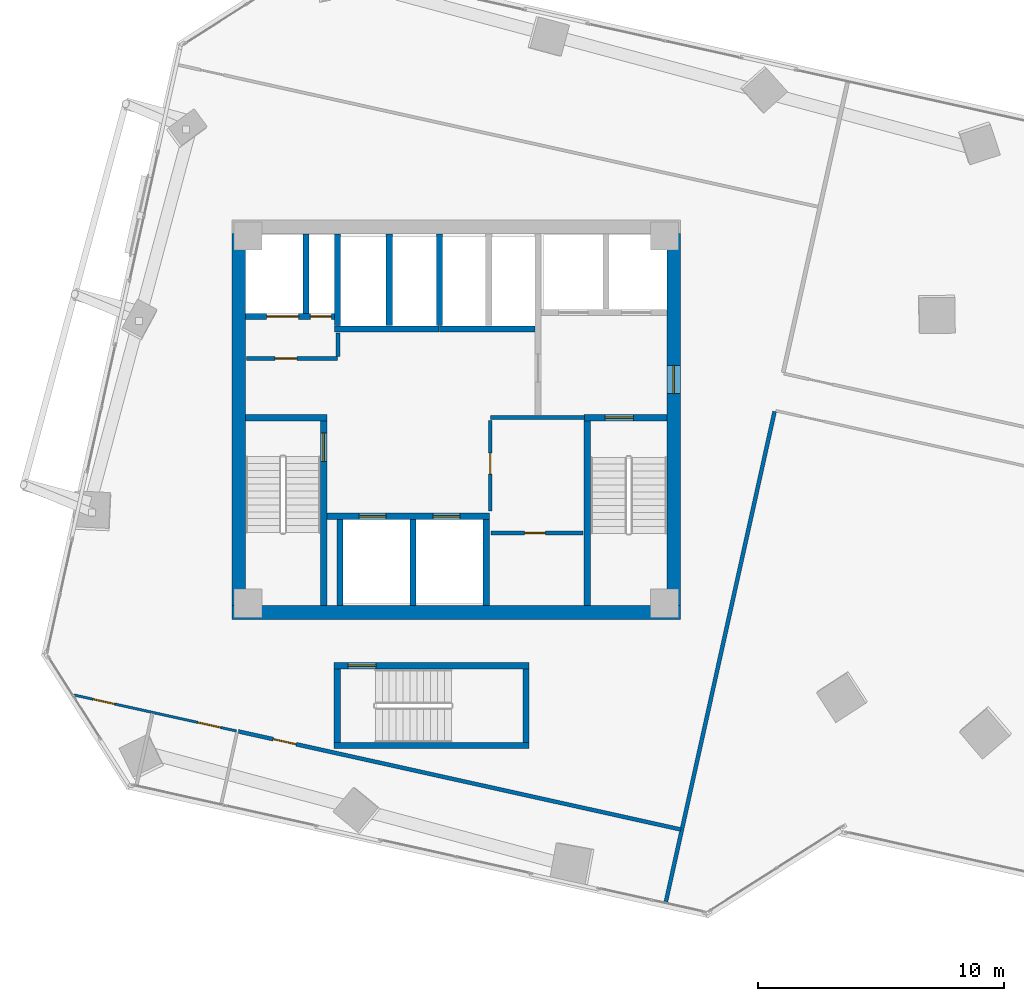
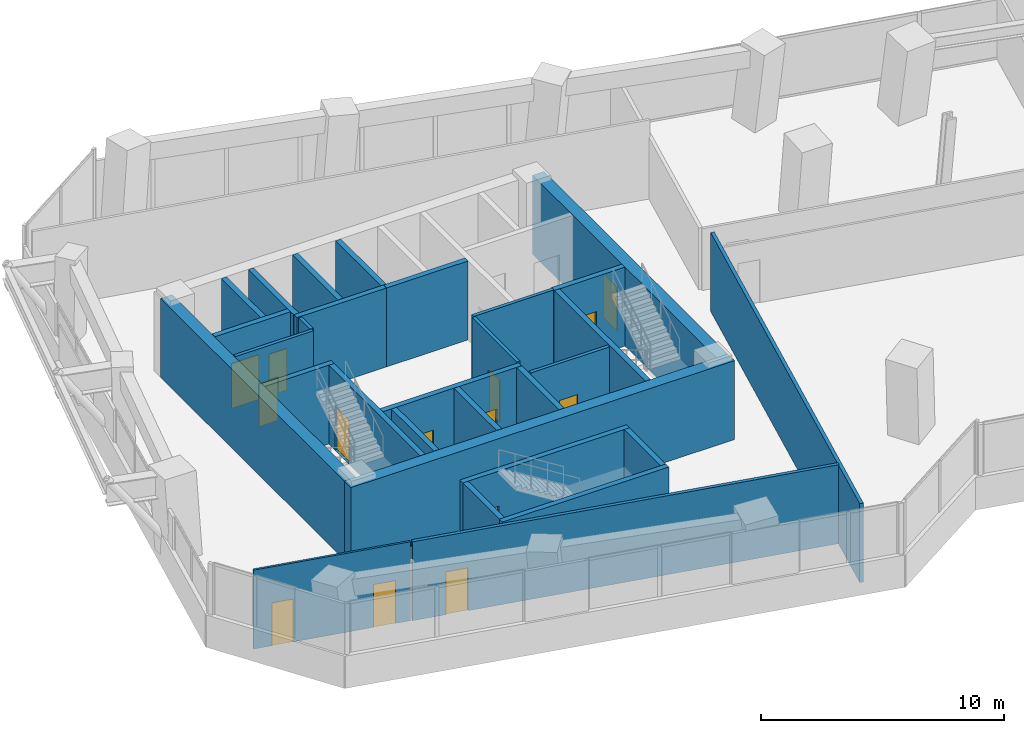
# One storey, part 21 of 26: 30 walls, 14 doors, 14 openings.
"""IFC4 building model written with IfcOpenShell, lengths in metres."""

import ifcopenshell
import ifcopenshell.guid

model = None  # the IFC model being written
_history = None  # IfcOwnerHistory: only IFC2X3 demands one
_inside = {}  # id of a spatial element -> (the spatial element, [elements in it])
_under = {}  # id of a project, library or spatial element -> (it, [spatial elements below it])
_declared = {}  # id of a project -> (the project, [libraries it declares])
_typed = {}  # id of a type object -> (the type object, [elements of that type])
_made_of = {}  # id of a material, layer set ... -> (it, [elements and type objects made of it])


def new_model(schema):
    """Start an empty IFC model of exactly this schema.

    Asked for "IFC4X3", IfcOpenShell would pick the latest addendum, in which some entities
    have other attributes; the version numbers below select the first issue.
    IFC2X3 requires an IfcOwnerHistory on every rooted entity: one is made here for all.
    """
    global model, _history
    if schema == "IFC4X3":
        model = ifcopenshell.file(schema_version=(4, 3, 0, 0))
    else:
        model = ifcopenshell.file(schema=schema)
    _inside.clear()
    _under.clear()
    _declared.clear()
    _typed.clear()
    _made_of.clear()
    _history = None
    if model.schema == "IFC2X3":
        org = make("IfcOrganization", Name="unknown")
        user = make(
            "IfcPersonAndOrganization",
            ThePerson=make("IfcPerson", FamilyName="unknown"),
            TheOrganization=org,
        )
        app = make(
            "IfcApplication",
            ApplicationDeveloper=org,
            Version="unknown",
            ApplicationFullName="unknown",
            ApplicationIdentifier="unknown",
        )
        _history = make(
            "IfcOwnerHistory",
            OwningUser=user,
            OwningApplication=app,
            ChangeAction="ADDED",
            CreationDate=0,
        )
    return model


def make(cls, **values):
    """One entity of the class cls with the attributes given. An attribute that is None is left unset."""
    return model.create_entity(
        cls, **{name: value for name, value in values.items() if value is not None}
    )


def rooted(cls, **values):
    """An entity with a GlobalId (a new one), such as an element, a storey or a relation."""
    return make(cls, GlobalId=ifcopenshell.guid.new(), OwnerHistory=_history, **values)


def si_unit(unit_type, name, prefix=None):
    """IfcSIUnit, for example si_unit("LENGTHUNIT", "METRE", prefix="MILLI")."""
    return make("IfcSIUnit", UnitType=unit_type, Prefix=prefix, Name=name)


def assignment(units):
    """IfcUnitAssignment: the units of a project."""
    return None if units is None else make("IfcUnitAssignment", Units=units)


def point(xyz):
    """IfcCartesianPoint."""
    return None if xyz is None else make("IfcCartesianPoint", Coordinates=xyz)


def direction(xyz):
    """IfcDirection."""
    return None if xyz is None else make("IfcDirection", DirectionRatios=xyz)


def frame(location, z_axis=None, x_axis=None):
    """IfcAxis2Placement3D, a coordinate frame: its origin and axes. An axis left out is left unset."""
    return make(
        "IfcAxis2Placement3D",
        Location=point(location),
        Axis=direction(z_axis),
        RefDirection=direction(x_axis),
    )


def frame_2d(location, x_axis=None):
    """IfcAxis2Placement2D, a coordinate frame in the plane: its origin and x axis."""
    return make(
        "IfcAxis2Placement2D", Location=point(location), RefDirection=direction(x_axis)
    )


def origin():
    """The frame at (0, 0, 0) with its axes left unset."""
    return frame((0.0, 0.0, 0.0))


def place(relative_to, where):
    """IfcLocalPlacement: puts the frame where relative to a parent placement (None: the world)."""
    return make(
        "IfcLocalPlacement", PlacementRelTo=relative_to, RelativePlacement=where
    )


def context(
    kind, dimensions, precision=None, world=None, true_north=None, identifier=None
):
    """IfcGeometricRepresentationContext, for example the 3D "Model" context."""
    return make(
        "IfcGeometricRepresentationContext",
        ContextIdentifier=identifier,
        ContextType=kind,
        CoordinateSpaceDimension=dimensions,
        Precision=precision,
        WorldCoordinateSystem=world,
        TrueNorth=true_north,
    )


def subcontext(parent, identifier, kind, view, scale=None):
    """IfcGeometricRepresentationSubContext, for example "Body" below "Model"."""
    return make(
        "IfcGeometricRepresentationSubContext",
        ContextIdentifier=identifier,
        ContextType=kind,
        ParentContext=parent,
        TargetScale=scale,
        TargetView=view,
    )


def project(units=None, contexts=None):
    """IfcProject with its units and contexts."""
    return rooted(
        "IfcProject",
        Name="project",
        RepresentationContexts=contexts,
        UnitsInContext=assignment(units),
    )


def spatial(cls, under=None, at=None, **own):
    """A site, building, storey or space (cls), placed at a placement, below another one or the project."""
    s = rooted(cls, ObjectPlacement=at, **own)
    if under is not None:
        _under.setdefault(under.id(), (under, []))[1].append(s)
    return s


def profile(cls, at=None, kind="AREA", **sizes):
    """A parametric profile (cls). Its sizes go by their IFC names, for example OverallWidth=200.0."""
    return make(cls, ProfileType=kind, Position=at, **sizes)


def rectangle(**sizes):
    """IfcRectangleProfileDef."""
    return profile("IfcRectangleProfileDef", **sizes)


def extrude(swept, where, along, depth):
    """IfcExtrudedAreaSolid: the profile swept, set in the frame where, extruded along a direction by depth."""
    return make(
        "IfcExtrudedAreaSolid",
        SweptArea=swept,
        Position=where,
        ExtrudedDirection=direction(along),
        Depth=depth,
    )


def shape(context_of_items, identifier, shape_type, items):
    """IfcShapeRepresentation: the items that make up one representation, for example the "Body"."""
    return make(
        "IfcShapeRepresentation",
        ContextOfItems=context_of_items,
        RepresentationIdentifier=identifier,
        RepresentationType=shape_type,
        Items=items,
    )


def source(mapping_origin, context_of_items, identifier, shape_type, items):
    """IfcRepresentationMap: a shape defined once, which mapped items show again and again."""
    return make(
        "IfcRepresentationMap",
        MappingOrigin=mapping_origin,
        MappedRepresentation=shape(context_of_items, identifier, shape_type, items),
    )


def transform(
    local_origin,
    x_axis=None,
    y_axis=None,
    z_axis=None,
    scale=None,
    scale2=None,
    scale3=None,
    uniform=True,
):
    """IfcCartesianTransformationOperator3D, or its non-uniform kind. x_axis, y_axis, z_axis: its Axis1, 2, 3."""
    if uniform:
        return make(
            "IfcCartesianTransformationOperator3D",
            Axis1=direction(x_axis),
            Axis2=direction(y_axis),
            LocalOrigin=point(local_origin),
            Scale=scale,
            Axis3=direction(z_axis),
        )
    return make(
        "IfcCartesianTransformationOperator3DnonUniform",
        Axis1=direction(x_axis),
        Axis2=direction(y_axis),
        LocalOrigin=point(local_origin),
        Scale=scale,
        Axis3=direction(z_axis),
        Scale2=scale2,
        Scale3=scale3,
    )


def mapped(mapping_source, mapping_target):
    """IfcMappedItem: shows the shape of a source again, moved by a transform."""
    return make(
        "IfcMappedItem", MappingSource=mapping_source, MappingTarget=mapping_target
    )


def material(Name=None, Category=None):
    """IfcMaterial."""
    return make("IfcMaterial", Name=Name, Category=Category)


def layer(
    of_material, thickness, ventilated=None, Name=None, Category=None, Priority=None
):
    """IfcMaterialLayer: one layer of a wall or slab, of a material (None: an air gap)."""
    return make(
        "IfcMaterialLayer",
        Material=of_material,
        LayerThickness=thickness,
        IsVentilated=ventilated,
        Name=Name,
        Category=Category,
        Priority=Priority,
    )


def layer_set(layers, Name=None):
    """IfcMaterialLayerSet."""
    return make("IfcMaterialLayerSet", MaterialLayers=layers, LayerSetName=Name)


def made_of(thing, what):
    """Note that an element or type object is made of a material, layer set ...; save() writes the relation."""
    if what is not None:
        _made_of.setdefault(what.id(), (what, []))[1].append(thing)
    return thing


def type_object(cls, material=None, **own):
    """A type object (cls), such as IfcWallType, which elements share."""
    return made_of(rooted(cls, **own), material)


def element(
    cls,
    number,
    at=None,
    inside=None,
    cuts=None,
    type_object=None,
    material=None,
    context=None,
    identifier="Body",
    shape_type=None,
    held_by="IfcProductDefinitionShape",
    body=None,
    shapes=None,
    **own,
):
    """One element of the class cls, such as IfcWall. Its Tag is "e" and its number.

    at: its placement. inside: the storey or other place that contains it. cuts: it is an
    opening in that element (IfcRelVoidsElement). A single representation is given by context,
    identifier, shape_type and body (its items); several are given by shapes. held_by: the class
    of the entity that holds the representations. save() writes the other relations.
    """
    e = rooted(cls, Tag="e%d" % number, ObjectPlacement=at, **own)
    if body is not None:
        shapes = [shape(context, identifier, shape_type, body)]
    if shapes is not None:
        e.Representation = make(held_by, Representations=shapes)
    if inside is not None:
        _inside.setdefault(inside.id(), (inside, []))[1].append(e)
    if cuts is not None:
        rooted(
            "IfcRelVoidsElement", RelatingBuildingElement=cuts, RelatedOpeningElement=e
        )
    if type_object is not None:
        _typed.setdefault(type_object.id(), (type_object, []))[1].append(e)
    return made_of(e, material)


def fill(opening, filler):
    """IfcRelFillsElement: the door or window that sits in an opening."""
    return rooted(
        "IfcRelFillsElement",
        RelatingOpeningElement=opening,
        RelatedBuildingElement=filler,
    )


def aggregate(whole, parts):
    """IfcRelAggregates: a whole, such as a stair, and the parts it consists of."""
    return rooted("IfcRelAggregates", RelatingObject=whole, RelatedObjects=parts)


def save(model, path):
    """Write the relations noted so far, then the file.

    IfcRelAggregates (storeys below a building ...), IfcRelContainedInSpatialStructure (elements
    in a storey), IfcRelDefinesByType, IfcRelAssociatesMaterial and IfcRelDeclares: one each for
    every whole, place, type object, material and project.
    """
    for whole, parts in _under.values():
        aggregate(whole, parts)
    for where, things in _inside.values():
        rooted(
            "IfcRelContainedInSpatialStructure",
            RelatedElements=things,
            RelatingStructure=where,
        )
    for kind, things in _typed.values():
        rooted("IfcRelDefinesByType", RelatedObjects=things, RelatingType=kind)
    for what, things in _made_of.values():
        rooted("IfcRelAssociatesMaterial", RelatedObjects=things, RelatingMaterial=what)
    for by, libraries in _declared.values():
        rooted("IfcRelDeclares", RelatingContext=by, RelatedDefinitions=libraries)
    model.write(path)


model = new_model("IFC4")

# Units and contexts
model_context = context("Model", 3, precision=1e-05, world=origin(), true_north=direction((0.0, 1.0)))
body_context = subcontext(model_context, "Body", "Model", "MODEL_VIEW")
ifc_project = project(units=[si_unit("LENGTHUNIT", "METRE"), si_unit("AREAUNIT", "SQUARE_METRE"), si_unit("VOLUMEUNIT", "CUBIC_METRE"), si_unit("PLANEANGLEUNIT", "RADIAN"), si_unit("MASSUNIT", "GRAM", prefix="KILO")], contexts=[model_context])

# Site, building, storey
site_placement = place(None, origin())
site = spatial("IfcSite", under=ifc_project, at=site_placement, CompositionType="ELEMENT")
building_placement = place(site_placement, origin())
building = spatial("IfcBuilding", under=site, at=building_placement, Name="Torre Montelarca", CompositionType="ELEMENT")
storey_placement = place(building_placement, frame((0.0, 0.0, 95.800048828125)))
storey = spatial("IfcBuildingStorey", under=building, at=storey_placement, Name="L21", CompositionType="ELEMENT", Elevation=95.800048828125)

# Wall, opening, door
ifc_material_1 = material(Name="Concrete C40/50", Category="concrete")
ifc_layer_1 = layer(ifc_material_1, 0.25, Name="Concrete C40/50", Category="concrete")
ifc_layer_set_1 = layer_set([ifc_layer_1], Name="Concrete C40/50")
wall_type_1 = type_object("IfcWallType", Name="CW-SHAFT-250", PredefinedType="SHEAR", material=ifc_layer_set_1)
wall_1_placement = place(storey_placement, frame((12.625, 24.4599609375, 0.0), z_axis=(0.0, 0.0, 1.0), x_axis=(0.0, 1.0, 0.0)))
wall_1 = element("IfcWall", 1, at=wall_1_placement, inside=storey, type_object=wall_type_1, Name="L21 Core Shear Wall SH-ST1-E", PredefinedType="SHEAR", context=body_context, shape_type="SweptSolid", body=[
    extrude(rectangle(XDim=7.489990234375, YDim=0.25, at=frame_2d((3.7451171875, 0.0))), origin(), (0.0, 0.0, 1.0), 3.9599609375),
])
opening_1_placement = place(wall_1_placement, frame((5.85009765625, 0.0, 0.0)))
opening_1 = element("IfcOpeningElement", 2, at=opening_1_placement, cuts=wall_1, Name="Opening FD-ST1", PredefinedType="OPENING", context=body_context, shape_type="SweptSolid", body=[
    extrude(rectangle(XDim=1.14990234375, YDim=2.199951171875, at=frame_2d((0.574951171875, 1.10009765625))), frame((0.0, 0.135009765625, 0.0), z_axis=(0.0, -1.0, 0.0), x_axis=(1.0, 0.0, 0.0)), (0.0, 0.0, 1.0), 0.27001953125),
])
ifc_material_2 = material(Name="Galvanized steel fire door", Category="steel")
door_type_1 = type_object("IfcDoorType", Name="DR-STAIR-115", OperationType="NOTDEFINED", PredefinedType="DOOR", material=ifc_material_2)
shared_shape_1 = source(origin(), body_context, "Body", "SweptSolid", [
    extrude(rectangle(XDim=1.14990234375, YDim=2.199951171875, at=frame_2d((0.574951171875, 1.10009765625))), frame((0.0, 0.02490234375, 0.0), z_axis=(0.0, -1.0, 0.0), x_axis=(1.0, 0.0, 0.0)), (0.0, 0.0, 1.0), 0.050048828125),
])
door_1_placement = place(opening_1_placement, origin())
door_1 = element("IfcDoor", 3, at=door_1_placement, inside=storey, type_object=door_type_1, Name="L21 Exit Stair ST1 Fire Door", OperationType="SINGLE_SWING_RIGHT", OverallHeight=2.199951171875, OverallWidth=1.14990234375, PredefinedType="DOOR", context=body_context, shape_type="MappedRepresentation", body=[
    mapped(shared_shape_1, transform((0.0, 0.0, 0.0), scale=1.0)),
])
fill(opening_1, door_1)

# Walls
wall_2_placement = place(storey_placement, frame((9.4599609375, 32.074951171875, 0.0), z_axis=(0.0, 0.0, 1.0), x_axis=(1.0, 0.0, 0.0)))
element("IfcWall", 4, at=wall_2_placement, inside=storey, type_object=wall_type_1, Name="L21 Core Shear Wall SH-ST1-N", PredefinedType="SHEAR", context=body_context, shape_type="SweptSolid", body=[
    extrude(rectangle(XDim=3.2900390625, YDim=0.25, at=frame_2d((1.64501953125, 0.0))), origin(), (0.0, 0.0, 1.0), 3.9599609375),
])
wall_3_placement = place(storey_placement, frame((23.31494140625, 24.4599609375, 0.0), z_axis=(0.0, 0.0, 1.0), x_axis=(0.0, 1.0, 0.0)))
element("IfcWall", 5, at=wall_3_placement, inside=storey, type_object=wall_type_1, Name="L21 Core Shear Wall SH-ST2-W", PredefinedType="SHEAR", context=body_context, shape_type="SweptSolid", body=[
    extrude(rectangle(XDim=7.489990234375, YDim=0.25, at=frame_2d((3.7451171875, 0.0))), origin(), (0.0, 0.0, 1.0), 3.9599609375),
])

# Wall, opening, door
wall_4_placement = place(storey_placement, frame((23.18994140625, 32.074951171875, 0.0), z_axis=(0.0, 0.0, 1.0), x_axis=(1.0, 0.0, 0.0)))
wall_4 = element("IfcWall", 6, at=wall_4_placement, inside=storey, type_object=wall_type_1, Name="L21 Core Shear Wall SH-ST2-N", PredefinedType="SHEAR", context=body_context, shape_type="SweptSolid", body=[
    extrude(rectangle(XDim=3.35009765625, YDim=0.25, at=frame_2d((1.675048828125, 0.0))), origin(), (0.0, 0.0, 1.0), 3.9599609375),
])
opening_2_placement = place(wall_4_placement, frame((0.85009765625, 0.0, 0.0)))
opening_2 = element("IfcOpeningElement", 7, at=opening_2_placement, cuts=wall_4, Name="Opening FD-ST1", PredefinedType="OPENING", context=body_context, shape_type="SweptSolid", body=[
    extrude(rectangle(XDim=1.14990234375, YDim=2.199951171875, at=frame_2d((0.574951171875, 1.10009765625))), frame((0.0, 0.135009765625, 0.0), z_axis=(0.0, -1.0, 0.0), x_axis=(1.0, 0.0, 0.0)), (0.0, 0.0, 1.0), 0.27001953125),
])
door_2_placement = place(opening_2_placement, origin())
door_2 = element("IfcDoor", 8, at=door_2_placement, inside=storey, type_object=door_type_1, Name="L21 Exit Stair ST2 Fire Door", OperationType="SINGLE_SWING_RIGHT", OverallHeight=2.199951171875, OverallWidth=1.14990234375, PredefinedType="DOOR", context=body_context, shape_type="MappedRepresentation", body=[
    mapped(shared_shape_1, transform((0.0, 0.0, 0.0), scale=1.0)),
])
fill(opening_2, door_2)

# Wall, openings, doors
wall_5_placement = place(storey_placement, frame((9.4599609375, 36.179931640625, 0.0), z_axis=(0.0, 0.0, 1.0), x_axis=(1.0, 0.0, 0.0)))
wall_5 = element("IfcWall", 9, at=wall_5_placement, inside=storey, type_object=wall_type_1, Name="L21 Core Shear Wall SH-SV1-S", PredefinedType="SHEAR", context=body_context, shape_type="SweptSolid", body=[
    extrude(rectangle(XDim=3.7900390625, YDim=0.25, at=frame_2d((1.89501953125, 0.0))), origin(), (0.0, 0.0, 1.0), 3.9599609375),
])
opening_3_placement = place(wall_5_placement, frame((2.6201171875, 0.0, 0.0)))
opening_3 = element("IfcOpeningElement", 10, at=opening_3_placement, cuts=wall_5, Name="Opening FD-085", PredefinedType="OPENING", context=body_context, shape_type="SweptSolid", body=[
    extrude(rectangle(XDim=0.85009765625, YDim=2.10009765625, at=frame_2d((0.425048828125, 1.050048828125))), frame((0.0, 0.135009765625, 0.0), z_axis=(0.0, -1.0, 0.0), x_axis=(1.0, 0.0, 0.0)), (0.0, 0.0, 1.0), 0.27001953125),
])
opening_4_placement = place(wall_5_placement, frame((0.85009765625, 0.0, 0.0)))
opening_4 = element("IfcOpeningElement", 11, at=opening_4_placement, cuts=wall_5, Name="Opening LD-130", PredefinedType="OPENING", context=body_context, shape_type="SweptSolid", body=[
    extrude(rectangle(XDim=1.300048828125, YDim=2.25, at=frame_2d((0.64990234375, 1.125))), frame((0.0, 0.135009765625, 0.0), z_axis=(0.0, -1.0, 0.0), x_axis=(1.0, 0.0, 0.0)), (0.0, 0.0, 1.0), 0.27001953125),
])
ifc_material_3 = material(Name="Steel riser access fire door", Category="steel")
door_type_2 = type_object("IfcDoorType", Name="DR-RISER-085", OperationType="NOTDEFINED", PredefinedType="DOOR", material=ifc_material_3)
shared_shape_2 = source(origin(), body_context, "Body", "SweptSolid", [
    extrude(rectangle(XDim=0.85009765625, YDim=2.10009765625, at=frame_2d((0.425048828125, 1.050048828125))), frame((0.0, 0.02490234375, 0.0), z_axis=(0.0, -1.0, 0.0), x_axis=(1.0, 0.0, 0.0)), (0.0, 0.0, 1.0), 0.050048828125),
])
door_3_placement = place(opening_3_placement, origin())
door_3 = element("IfcDoor", 12, at=door_3_placement, inside=storey, type_object=door_type_2, Name="L21 Electrical Riser Shaft Access Door", OperationType="SINGLE_SWING_RIGHT", OverallHeight=2.10009765625, OverallWidth=0.85009765625, PredefinedType="DOOR", context=body_context, shape_type="MappedRepresentation", body=[
    mapped(shared_shape_2, transform((0.0, 0.0, 0.0), scale=1.0)),
])
fill(opening_3, door_3)
ifc_material_4 = material(Name="Brushed stainless steel AISI 316", Category="steel")
door_type_3 = type_object("IfcDoorType", Name="DR-LIFT-130", OperationType="SLIDING_TO_LEFT", PredefinedType="DOOR", material=ifc_material_4)
shared_shape_3 = source(origin(), body_context, "Body", "SweptSolid", [
    extrude(rectangle(XDim=1.300048828125, YDim=2.25, at=frame_2d((0.64990234375, 1.125))), frame((0.0, 0.02490234375, 0.0), z_axis=(0.0, -1.0, 0.0), x_axis=(1.0, 0.0, 0.0)), (0.0, 0.0, 1.0), 0.050048828125),
])
door_4_placement = place(opening_4_placement, origin())
door_4 = element("IfcDoor", 13, at=door_4_placement, inside=storey, type_object=door_type_3, Name="L21 Lift Landing Sliding Door SV-1", OperationType="SLIDING_TO_LEFT", OverallHeight=2.25, OverallWidth=1.300048828125, PredefinedType="DOOR", context=body_context, shape_type="MappedRepresentation", body=[
    mapped(shared_shape_3, transform((0.0, 0.0, 0.0), scale=1.0)),
])
fill(opening_4, door_4)

# Wall
wall_6_placement = place(storey_placement, frame((11.89990234375, 36.31005859375, 0.0), z_axis=(0.0, 0.0, 1.0), x_axis=(0.0, 1.0, 0.0)))
element("IfcWall", 14, at=wall_6_placement, inside=storey, type_object=wall_type_1, Name="L21 Core Shear Wall SH-SV1-E", PredefinedType="SHEAR", context=body_context, shape_type="SweptSolid", body=[
    extrude(rectangle(XDim=3.22998046875, YDim=0.25, at=frame_2d((1.614990234375, 0.0))), origin(), (0.0, 0.0, 1.0), 3.9599609375),
])

# Wall, openings, doors
wall_7_placement = place(storey_placement, frame((12.6298828125, 28.080078125, 0.0), z_axis=(0.0, 0.0, 1.0), x_axis=(1.0, 0.0, 0.0)))
wall_7 = element("IfcWall", 15, at=wall_7_placement, inside=storey, type_object=wall_type_1, Name="L21 Core Shear Wall SH-PLL-N", PredefinedType="SHEAR", context=body_context, shape_type="SweptSolid", body=[
    extrude(rectangle(XDim=6.710205078125, YDim=0.25, at=frame_2d((3.35498046875, 0.0))), origin(), (0.0, 0.0, 1.0), 3.9599609375),
])
opening_5_placement = place(wall_7_placement, frame((1.429931640625, 0.0, 0.0)))
opening_5 = element("IfcOpeningElement", 16, at=opening_5_placement, cuts=wall_7, Name="Opening LD-110", PredefinedType="OPENING", context=body_context, shape_type="SweptSolid", body=[
    extrude(rectangle(XDim=1.10009765625, YDim=2.199951171875, at=frame_2d((0.550048828125, 1.10009765625))), frame((0.0, 0.135009765625, 0.0), z_axis=(0.0, -1.0, 0.0), x_axis=(1.0, 0.0, 0.0)), (0.0, 0.0, 1.0), 0.27001953125),
])
opening_6_placement = place(wall_7_placement, frame((4.429931640625, 0.0, 0.0)))
opening_6 = element("IfcOpeningElement", 17, at=opening_6_placement, cuts=wall_7, Name="Opening LD-110", PredefinedType="OPENING", context=body_context, shape_type="SweptSolid", body=[
    extrude(rectangle(XDim=1.10009765625, YDim=2.199951171875, at=frame_2d((0.550048828125, 1.10009765625))), frame((0.0, 0.135009765625, 0.0), z_axis=(0.0, -1.0, 0.0), x_axis=(1.0, 0.0, 0.0)), (0.0, 0.0, 1.0), 0.27001953125),
])
door_type_4 = type_object("IfcDoorType", Name="DR-LIFT-110", OperationType="SLIDING_TO_LEFT", PredefinedType="DOOR", material=ifc_material_4)
shared_shape_4 = source(origin(), body_context, "Body", "SweptSolid", [
    extrude(rectangle(XDim=1.10009765625, YDim=2.199951171875, at=frame_2d((0.550048828125, 1.10009765625))), frame((0.0, 0.02490234375, 0.0), z_axis=(0.0, -1.0, 0.0), x_axis=(1.0, 0.0, 0.0)), (0.0, 0.0, 1.0), 0.050048828125),
])
door_5_placement = place(opening_5_placement, origin())
door_5 = element("IfcDoor", 18, at=door_5_placement, inside=storey, type_object=door_type_4, Name="L21 Lift Landing Sliding Door PL-L1", OperationType="SLIDING_TO_LEFT", OverallHeight=2.199951171875, OverallWidth=1.10009765625, PredefinedType="DOOR", context=body_context, shape_type="MappedRepresentation", body=[
    mapped(shared_shape_4, transform((0.0, 0.0, 0.0), scale=1.0)),
])
fill(opening_5, door_5)
door_6_placement = place(opening_6_placement, origin())
door_6 = element("IfcDoor", 19, at=door_6_placement, inside=storey, type_object=door_type_4, Name="L21 Lift Landing Sliding Door PL-L2", OperationType="SLIDING_TO_RIGHT", OverallHeight=2.199951171875, OverallWidth=1.10009765625, PredefinedType="DOOR", context=body_context, shape_type="MappedRepresentation", body=[
    mapped(shared_shape_4, transform((0.0, 0.0, 0.0), scale=1.0)),
])
fill(opening_6, door_6)

# Walls
for number, where, z_axis, x_axis, name in (
    (20, (13.280029296875, 24.4599609375, 0.0), (0.0, 0.0, 1.0), (0.0, 1.0, 0.0), "L21 Core Shear Wall SH-PLL-W"),
    (21, (16.25, 24.4599609375, 0.0), (0.0, 0.0, 1.0), (0.0, 1.0, 0.0), "L21 Core Shear Wall SH-PLL-M"),
    (22, (19.219970703125, 24.4599609375, 0.0), (0.0, 0.0, 1.0), (0.0, 1.0, 0.0), "L21 Core Shear Wall SH-PLL-E"),
):
    element("IfcWall", number, at=place(storey_placement, frame(where, z_axis=z_axis, x_axis=x_axis)), inside=storey, type_object=wall_type_1, Name=name, PredefinedType="SHEAR", context=body_context, shape_type="SweptSolid", body=[
        extrude(rectangle(XDim=3.489990234375, YDim=0.25, at=frame_2d((1.7451171875, 0.0))), origin(), (0.0, 0.0, 1.0), 3.9599609375),
    ])
wall_8_placement = place(storey_placement, frame((13.06005859375, 35.679931640625, 0.0), z_axis=(0.0, 0.0, 1.0), x_axis=(1.0, 0.0, 0.0)))
element("IfcWall", 23, at=wall_8_placement, inside=storey, type_object=wall_type_1, Name="L21 Core Shear Wall SH-PLM-S", PredefinedType="SHEAR", context=body_context, shape_type="SweptSolid", body=[
    extrude(rectangle(XDim=4.25, YDim=0.25, at=frame_2d((2.125, 0.0))), origin(), (0.0, 0.0, 1.0), 3.9599609375),
])
for number, where, z_axis, x_axis, name in (
    (24, (13.179931640625, 35.81005859375, 0.0), (0.0, 0.0, 1.0), (0.0, 1.0, 0.0), "L21 Core Shear Wall SH-PLM-W"),
    (25, (15.280029296875, 35.81005859375, 0.0), (0.0, 0.0, 1.0), (0.0, 1.0, 0.0), "L21 Core Shear Wall SH-PLM-M"),
):
    element("IfcWall", number, at=place(storey_placement, frame(where, z_axis=z_axis, x_axis=x_axis)), inside=storey, type_object=wall_type_1, Name=name, PredefinedType="SHEAR", context=body_context, shape_type="SweptSolid", body=[
        extrude(rectangle(XDim=3.72998046875, YDim=0.25, at=frame_2d((1.864990234375, 0.0))), origin(), (0.0, 0.0, 1.0), 3.9599609375),
    ])
wall_9_placement = place(storey_placement, frame((17.320068359375, 35.679931640625, 0.0), z_axis=(0.0, 0.0, 1.0), x_axis=(1.0, 0.0, 0.0)))
element("IfcWall", 26, at=wall_9_placement, inside=storey, type_object=wall_type_1, Name="L21 Core Shear Wall SH-PLH-S", PredefinedType="SHEAR", context=body_context, shape_type="SweptSolid", body=[
    extrude(rectangle(XDim=3.869873046875, YDim=0.25, at=frame_2d((1.93505859375, 0.0))), origin(), (0.0, 0.0, 1.0), 3.9599609375),
])
wall_10_placement = place(storey_placement, frame((17.320068359375, 35.81005859375, 0.0), z_axis=(0.0, 0.0, 1.0), x_axis=(0.0, 1.0, 0.0)))
element("IfcWall", 27, at=wall_10_placement, inside=storey, type_object=wall_type_1, Name="L21 Core Shear Wall SH-PLH-W", PredefinedType="SHEAR", context=body_context, shape_type="SweptSolid", body=[
    extrude(rectangle(XDim=3.72998046875, YDim=0.25, at=frame_2d((1.864990234375, 0.0))), origin(), (0.0, 0.0, 1.0), 3.9599609375),
])
for number, where, z_axis, x_axis, name in (
    (28, (13.175048828125, 18.89990234375, 0.0), (0.0, 0.0, 1.0), (0.0, 1.0, 0.0), "L21 Core Shear Wall SH-ST3-W"),
    (29, (20.824951171875, 18.89990234375, 0.0), (0.0, 0.0, 1.0), (0.0, 1.0, 0.0), "L21 Core Shear Wall SH-ST3-E"),
):
    element("IfcWall", number, at=place(storey_placement, frame(where, z_axis=z_axis, x_axis=x_axis)), inside=storey, type_object=wall_type_1, Name=name, PredefinedType="SHEAR", context=body_context, shape_type="SweptSolid", body=[
        extrude(rectangle(XDim=2.989990234375, YDim=0.25, at=frame_2d((1.4951171875, 0.0))), origin(), (0.0, 0.0, 1.0), 3.9599609375),
    ])
wall_11_placement = place(storey_placement, frame((13.050048828125, 18.77490234375, 0.0), z_axis=(0.0, 0.0, 1.0), x_axis=(1.0, 0.0, 0.0)))
element("IfcWall", 30, at=wall_11_placement, inside=storey, type_object=wall_type_1, Name="L21 Core Shear Wall SH-ST3-S", PredefinedType="SHEAR", context=body_context, shape_type="SweptSolid", body=[
    extrude(rectangle(XDim=7.89990234375, YDim=0.25, at=frame_2d((3.949951171875, 0.0))), origin(), (0.0, 0.0, 1.0), 3.9599609375),
])

# Wall, opening, door
wall_12_placement = place(storey_placement, frame((13.050048828125, 22.014892578125, 0.0), z_axis=(0.0, 0.0, 1.0), x_axis=(1.0, 0.0, 0.0)))
wall_12 = element("IfcWall", 31, at=wall_12_placement, inside=storey, type_object=wall_type_1, Name="L21 Core Shear Wall SH-ST3-N", PredefinedType="SHEAR", context=body_context, shape_type="SweptSolid", body=[
    extrude(rectangle(XDim=7.89990234375, YDim=0.25, at=frame_2d((3.949951171875, 0.0))), origin(), (0.0, 0.0, 1.0), 3.9599609375),
])
opening_7_placement = place(wall_12_placement, frame((0.550048828125, 0.0, 0.0)))
opening_7 = element("IfcOpeningElement", 32, at=opening_7_placement, cuts=wall_12, Name="Opening FD-ST1", PredefinedType="OPENING", context=body_context, shape_type="SweptSolid", body=[
    extrude(rectangle(XDim=1.14990234375, YDim=2.199951171875, at=frame_2d((0.574951171875, 1.10009765625))), frame((0.0, 0.135009765625, 0.0), z_axis=(0.0, -1.0, 0.0), x_axis=(1.0, 0.0, 0.0)), (0.0, 0.0, 1.0), 0.27001953125),
])
door_7_placement = place(opening_7_placement, origin())
door_7 = element("IfcDoor", 33, at=door_7_placement, inside=storey, type_object=door_type_1, Name="L21 Exit Stair ST3 Fire Door", OperationType="SINGLE_SWING_LEFT", OverallHeight=2.199951171875, OverallWidth=1.14990234375, PredefinedType="DOOR", context=body_context, shape_type="MappedRepresentation", body=[
    mapped(shared_shape_1, transform((0.0, 0.0, 0.0), scale=1.0)),
])
fill(opening_7, door_7)

# Wall
ifc_material_5 = material(Name="Concrete C70/85", Category="concrete")
ifc_layer_2 = layer(ifc_material_5, 0.550048828125, Name="Concrete C70/85", Category="concrete")
ifc_layer_set_2 = layer_set([ifc_layer_2], Name="Concrete C70/85")
wall_type_2 = type_object("IfcWallType", Name="CW-SHEAR-550", PredefinedType="SHEAR", material=ifc_layer_set_2)
wall_13_placement = place(storey_placement, frame((9.175048828125, 24.449951171875, 0.0), z_axis=(0.0, 0.0, 1.0), x_axis=(0.0, 1.0, 0.0)))
element("IfcWall", 34, at=wall_13_placement, inside=storey, type_object=wall_type_2, Name="L21 Core Shear Wall CW-W", PredefinedType="SHEAR", context=body_context, shape_type="SweptSolid", body=[
    extrude(rectangle(XDim=15.10009765625, YDim=0.550048828125, at=frame_2d((7.550048828125, 0.0))), origin(), (0.0, 0.0, 1.0), 3.9599609375),
])

# Wall, opening, door
wall_14_placement = place(storey_placement, frame((26.824951171875, 24.449951171875, 0.0), z_axis=(0.0, 0.0, 1.0), x_axis=(0.0, 1.0, 0.0)))
wall_14 = element("IfcWall", 35, at=wall_14_placement, inside=storey, type_object=wall_type_2, Name="L21 Core Shear Wall CW-E", PredefinedType="SHEAR", context=body_context, shape_type="SweptSolid", body=[
    extrude(rectangle(XDim=15.10009765625, YDim=0.550048828125, at=frame_2d((7.550048828125, 0.0))), origin(), (0.0, 0.0, 1.0), 3.9599609375),
])
opening_8_placement = place(wall_14_placement, frame((8.60009765625, 0.0, 0.0)))
opening_8 = element("IfcOpeningElement", 36, at=opening_8_placement, cuts=wall_14, Name="Opening FD-LB1", PredefinedType="OPENING", context=body_context, shape_type="SweptSolid", body=[
    extrude(rectangle(XDim=1.14990234375, YDim=2.199951171875, at=frame_2d((0.574951171875, 1.10009765625))), frame((0.0, 0.28515625, 0.0), z_axis=(0.0, -1.0, 0.0), x_axis=(1.0, 0.0, 0.0)), (0.0, 0.0, 1.0), 0.570068359375),
])
ifc_material_6 = material(Name="Acoustic timber-veneered fire door", Category="wood")
door_type_5 = type_object("IfcDoorType", Name="DR-LOBBY-115", OperationType="NOTDEFINED", PredefinedType="DOOR", material=ifc_material_6)
shared_shape_5 = source(origin(), body_context, "Body", "SweptSolid", [
    extrude(rectangle(XDim=1.14990234375, YDim=2.199951171875, at=frame_2d((0.574951171875, 1.10009765625))), frame((0.0, 0.02490234375, 0.0), z_axis=(0.0, -1.0, 0.0), x_axis=(1.0, 0.0, 0.0)), (0.0, 0.0, 1.0), 0.050048828125),
])
door_8_placement = place(opening_8_placement, origin())
door_8 = element("IfcDoor", 37, at=door_8_placement, inside=storey, type_object=door_type_5, Name="L21 Firefighting Lift Lobby Corridor Fire Door", OperationType="SINGLE_SWING_RIGHT", OverallHeight=2.199951171875, OverallWidth=1.14990234375, PredefinedType="DOOR", context=body_context, shape_type="MappedRepresentation", body=[
    mapped(shared_shape_5, transform((0.0, 0.0, 0.0), scale=1.0)),
])
fill(opening_8, door_8)

# Wall
wall_15_placement = place(storey_placement, frame((8.89990234375, 24.175048828125, 0.0), z_axis=(0.0, 0.0, 1.0), x_axis=(1.0, 0.0, 0.0)))
element("IfcWall", 38, at=wall_15_placement, inside=storey, type_object=wall_type_2, Name="L21 Core Shear Wall CW-S1", PredefinedType="SHEAR", context=body_context, shape_type="SweptSolid", body=[
    extrude(rectangle(XDim=18.2001953125, YDim=0.550048828125, at=frame_2d((9.10009765625, 0.0))), origin(), (0.0, 0.0, 1.0), 3.9599609375),
])

# Wall, opening, door
ifc_material_7 = material(Name="Gypsum plasterboard on steel stud", Category="steel")
ifc_layer_3 = layer(ifc_material_7, 0.159912109375, Name="Gypsum plasterboard on steel stud", Category="steel")
ifc_layer_set_3 = layer_set([ifc_layer_3], Name="Gypsum plasterboard on steel stud")
wall_type_3 = type_object("IfcWallType", Name="PW-FIRE-160", PredefinedType="PARTITIONING", material=ifc_layer_set_3)
wall_16_placement = place(storey_placement, frame((9.489990234375, 34.47998046875, 0.0), z_axis=(0.0, 0.0, 1.0), x_axis=(1.0, 0.0, 0.0)))
wall_16 = element("IfcWall", 39, at=wall_16_placement, inside=storey, type_object=wall_type_3, Name="L21 Interior Partition CW-L21-SVS", PredefinedType="PARTITIONING", context=body_context, shape_type="SweptSolid", body=[
    extrude(rectangle(XDim=3.699951171875, YDim=0.159912109375, at=frame_2d((1.85009765625, 0.0))), origin(), (0.0, 0.0, 1.0), 3.9599609375),
])
opening_9_placement = place(wall_16_placement, frame((1.14990234375, 0.0, 0.0)))
opening_9 = element("IfcOpeningElement", 40, at=opening_9_placement, cuts=wall_16, Name="Opening FD-090", PredefinedType="OPENING", context=body_context, shape_type="SweptSolid", body=[
    extrude(rectangle(XDim=0.89990234375, YDim=2.14990234375, at=frame_2d((0.449951171875, 1.074951171875))), frame((0.0, 0.08984375, 0.0), z_axis=(0.0, -1.0, 0.0), x_axis=(1.0, 0.0, 0.0)), (0.0, 0.0, 1.0), 0.179931640625),
])
ifc_material_8 = material(Name="Steel service fire door", Category="steel")
door_type_6 = type_object("IfcDoorType", Name="DR-FIRE-090", OperationType="NOTDEFINED", PredefinedType="DOOR", material=ifc_material_8)
shared_shape_6 = source(origin(), body_context, "Body", "SweptSolid", [
    extrude(rectangle(XDim=0.89990234375, YDim=2.14990234375, at=frame_2d((0.449951171875, 1.074951171875))), frame((0.0, 0.02490234375, 0.0), z_axis=(0.0, -1.0, 0.0), x_axis=(1.0, 0.0, 0.0)), (0.0, 0.0, 1.0), 0.050048828125),
])
door_9_placement = place(opening_9_placement, origin())
door_9 = element("IfcDoor", 41, at=door_9_placement, inside=storey, type_object=door_type_6, Name="L21 Interior Door 01", OperationType="SINGLE_SWING_RIGHT", OverallHeight=2.14990234375, OverallWidth=0.89990234375, PredefinedType="DOOR", context=body_context, shape_type="MappedRepresentation", body=[
    mapped(shared_shape_6, transform((0.0, 0.0, 0.0), scale=1.0)),
])
fill(opening_9, door_9)

# Walls
wall_17_placement = place(storey_placement, frame((13.199951171875, 34.570068359375, 0.0), z_axis=(0.0, 0.0, 1.0), x_axis=(0.0, 1.0, 0.0)))
element("IfcWall", 42, at=wall_17_placement, inside=storey, type_object=wall_type_3, Name="L21 Interior Partition CW-L21-SVE", PredefinedType="PARTITIONING", context=body_context, shape_type="SweptSolid", body=[
    extrude(rectangle(XDim=0.93994140625, YDim=0.159912109375, at=frame_2d((0.469970703125, 0.0))), origin(), (0.0, 0.0, 1.0), 3.9599609375),
])
wall_18_placement = place(storey_placement, frame((19.389892578125, 32.080078125, 0.0), z_axis=(0.0, 0.0, 1.0), x_axis=(1.0, 0.0, 0.0)))
element("IfcWall", 43, at=wall_18_placement, inside=storey, type_object=wall_type_3, Name="L21 Interior Partition CW-L21-SEN", PredefinedType="PARTITIONING", context=body_context, shape_type="SweptSolid", body=[
    extrude(rectangle(XDim=3.820068359375, YDim=0.159912109375, at=frame_2d((1.91015625, 0.0))), origin(), (0.0, 0.0, 1.0), 3.9599609375),
])

# Wall, opening, door
wall_19_placement = place(storey_placement, frame((19.3798828125, 28.2900390625, 0.0), z_axis=(0.0, 0.0, 1.0), x_axis=(0.0, 1.0, 0.0)))
wall_19 = element("IfcWall", 44, at=wall_19_placement, inside=storey, type_object=wall_type_3, Name="L21 Interior Partition CW-L21-SEW", PredefinedType="PARTITIONING", context=body_context, shape_type="SweptSolid", body=[
    extrude(rectangle(XDim=3.669921875, YDim=0.159912109375, at=frame_2d((1.8349609375, 0.0))), origin(), (0.0, 0.0, 1.0), 3.9599609375),
])
opening_10_placement = place(wall_19_placement, frame((1.5, 0.0, 0.0)))
opening_10 = element("IfcOpeningElement", 45, at=opening_10_placement, cuts=wall_19, Name="Opening FD-085", PredefinedType="OPENING", context=body_context, shape_type="SweptSolid", body=[
    extrude(rectangle(XDim=0.85009765625, YDim=2.10009765625, at=frame_2d((0.425048828125, 1.050048828125))), frame((0.0, 0.08984375, 0.0), z_axis=(0.0, -1.0, 0.0), x_axis=(1.0, 0.0, 0.0)), (0.0, 0.0, 1.0), 0.179931640625),
])
door_10_placement = place(opening_10_placement, origin())
door_10 = element("IfcDoor", 46, at=door_10_placement, inside=storey, type_object=door_type_2, Name="L21 Interior Door 03", OperationType="SINGLE_SWING_RIGHT", OverallHeight=2.10009765625, OverallWidth=0.85009765625, PredefinedType="DOOR", context=body_context, shape_type="MappedRepresentation", body=[
    mapped(shared_shape_2, transform((0.0, 0.0, 0.0), scale=1.0)),
])
fill(opening_10, door_10)

wall_20_placement = place(storey_placement, frame((19.419921875, 27.39990234375, 0.0), z_axis=(0.0, 0.0, 1.0), x_axis=(1.0, 0.0, 0.0)))
wall_20 = element("IfcWall", 47, at=wall_20_placement, inside=storey, type_object=wall_type_3, Name="L21 Interior Partition CW-L21-SEM1", PredefinedType="PARTITIONING", context=body_context, shape_type="SweptSolid", body=[
    extrude(rectangle(XDim=3.719970703125, YDim=0.159912109375, at=frame_2d((1.85986328125, 0.0))), origin(), (0.0, 0.0, 1.0), 3.9599609375),
])
opening_11_placement = place(wall_20_placement, frame((1.35009765625, 0.0, 0.0)))
opening_11 = element("IfcOpeningElement", 48, at=opening_11_placement, cuts=wall_20, Name="Opening FD-085", PredefinedType="OPENING", context=body_context, shape_type="SweptSolid", body=[
    extrude(rectangle(XDim=0.85009765625, YDim=2.10009765625, at=frame_2d((0.425048828125, 1.050048828125))), frame((0.0, 0.08984375, 0.0), z_axis=(0.0, -1.0, 0.0), x_axis=(1.0, 0.0, 0.0)), (0.0, 0.0, 1.0), 0.179931640625),
])
door_11_placement = place(opening_11_placement, origin())
door_11 = element("IfcDoor", 49, at=door_11_placement, inside=storey, type_object=door_type_2, Name="L21 Interior Door 02", OperationType="SINGLE_SWING_LEFT", OverallHeight=2.10009765625, OverallWidth=0.85009765625, PredefinedType="DOOR", context=body_context, shape_type="MappedRepresentation", body=[
    mapped(shared_shape_2, transform((0.0, 0.0, 0.0), scale=1.0)),
])
fill(opening_11, door_11)

wall_21_placement = place(storey_placement, frame((9.159912109375, 19.35107421875, 0.0), z_axis=(0.0, 0.0, 1.0), x_axis=(0.97629657883, -0.216437035106, 0.0)))
wall_21 = element("IfcWall", 50, at=wall_21_placement, inside=storey, type_object=wall_type_3, Name="L21 Interior Partition W-L21-SOCCN", PredefinedType="PARTITIONING", context=body_context, shape_type="SweptSolid", body=[
    extrude(rectangle(XDim=18.3896484375, YDim=0.159912109375, at=frame_2d((9.19482421875, 0.0))), origin(), (0.0, 0.0, 1.0), 3.9599609375),
])
opening_12_placement = place(wall_21_placement, frame((1.449951171875, 0.0, 0.0)))
opening_12 = element("IfcOpeningElement", 51, at=opening_12_placement, cuts=wall_21, Name="Opening FD-095", PredefinedType="OPENING", context=body_context, shape_type="SweptSolid", body=[
    extrude(rectangle(XDim=0.949951171875, YDim=2.14990234375, at=frame_2d((0.47509765625, 1.074951171875))), frame((0.0, 0.08984375, 0.0), z_axis=(0.0, -1.0, 0.0), x_axis=(1.0, 0.0, 0.0)), (0.0, 0.0, 1.0), 0.179931640625),
])
ifc_material_9 = material(Name="Timber fire-rated room door", Category="wood")
door_type_7 = type_object("IfcDoorType", Name="DR-FIRE-095", OperationType="NOTDEFINED", PredefinedType="DOOR", material=ifc_material_9)
shared_shape_7 = source(origin(), body_context, "Body", "SweptSolid", [
    extrude(rectangle(XDim=0.949951171875, YDim=2.14990234375, at=frame_2d((0.47509765625, 1.074951171875))), frame((0.0, 0.02490234375, 0.0), z_axis=(0.0, -1.0, 0.0), x_axis=(1.0, 0.0, 0.0)), (0.0, 0.0, 1.0), 0.050048828125),
])
door_12_placement = place(opening_12_placement, origin())
door_12 = element("IfcDoor", 52, at=door_12_placement, inside=storey, type_object=door_type_7, Name="L21 Interior Door 06", OperationType="SINGLE_SWING_RIGHT", OverallHeight=2.14990234375, OverallWidth=0.949951171875, PredefinedType="DOOR", context=body_context, shape_type="MappedRepresentation", body=[
    mapped(shared_shape_7, transform((0.0, 0.0, 0.0), scale=1.0)),
])
fill(opening_12, door_12)

# Wall
wall_22_placement = place(storey_placement, frame((26.503662109375, 12.433349609375, 0.0), z_axis=(0.0, 0.0, 1.0), x_axis=(0.216434476574, 0.976297146032, 0.0)))
element("IfcWall", 53, at=wall_22_placement, inside=storey, type_object=wall_type_3, Name="L21 Interior Partition W-L21-ECS", PredefinedType="PARTITIONING", context=body_context, shape_type="SweptSolid", body=[
    extrude(rectangle(XDim=20.3798828125, YDim=0.159912109375, at=frame_2d((10.18994140625, 0.0))), origin(), (0.0, 0.0, 1.0), 3.9599609375),
])

# Wall, openings, doors
ifc_material_10 = material(Name="Acoustic laminated glass partition", Category="glass")
ifc_layer_4 = layer(ifc_material_10, 0.10009765625, Name="Acoustic laminated glass partition", Category="glass")
ifc_layer_set_4 = layer_set([ifc_layer_4], Name="Acoustic laminated glass partition")
wall_type_4 = type_object("IfcWallType", Name="PW-GLAZ-100", PredefinedType="PARTITIONING", material=ifc_layer_set_4)
wall_23_placement = place(storey_placement, frame((2.48974609375, 20.829833984375, 0.0), z_axis=(0.0, 0.0, 1.0), x_axis=(0.976294141914, -0.216448027167, 0.0)))
wall_23 = element("IfcWall", 54, at=wall_23_placement, inside=storey, type_object=wall_type_4, Name="L21 Interior Partition W-L21-WCN", PredefinedType="PARTITIONING", context=body_context, shape_type="SweptSolid", body=[
    extrude(rectangle(XDim=6.751953125, YDim=0.10009765625, at=frame_2d((3.3759765625, 0.0))), origin(), (0.0, 0.0, 1.0), 3.9599609375),
])
opening_13_placement = place(wall_23_placement, frame((0.800048828125, 0.0, 0.0)))
opening_13 = element("IfcOpeningElement", 55, at=opening_13_placement, cuts=wall_23, Name="Opening ID-090", PredefinedType="OPENING", context=body_context, shape_type="SweptSolid", body=[
    extrude(rectangle(XDim=0.89990234375, YDim=2.14990234375, at=frame_2d((0.449951171875, 1.074951171875))), frame((0.0, 0.06005859375, 0.0), z_axis=(0.0, -1.0, 0.0), x_axis=(1.0, 0.0, 0.0)), (0.0, 0.0, 1.0), 0.1201171875),
])
opening_14_placement = place(wall_23_placement, frame((5.159912109375, 0.0, 0.0)))
opening_14 = element("IfcOpeningElement", 56, at=opening_14_placement, cuts=wall_23, Name="Opening ID-095", PredefinedType="OPENING", context=body_context, shape_type="SweptSolid", body=[
    extrude(rectangle(XDim=0.949951171875, YDim=2.14990234375, at=frame_2d((0.47509765625, 1.074951171875))), frame((0.0, 0.06005859375, 0.0), z_axis=(0.0, -1.0, 0.0), x_axis=(1.0, 0.0, 0.0)), (0.0, 0.0, 1.0), 0.1201171875),
])
ifc_material_11 = material(Name="Hardwood acoustic timber veneer", Category="wood")
door_type_8 = type_object("IfcDoorType", Name="DR-INT-090", OperationType="NOTDEFINED", PredefinedType="DOOR", material=ifc_material_11)
shared_shape_8 = source(origin(), body_context, "Body", "SweptSolid", [
    extrude(rectangle(XDim=0.89990234375, YDim=2.14990234375, at=frame_2d((0.449951171875, 1.074951171875))), frame((0.0, 0.02490234375, 0.0), z_axis=(0.0, -1.0, 0.0), x_axis=(1.0, 0.0, 0.0)), (0.0, 0.0, 1.0), 0.050048828125),
])
door_13_placement = place(opening_13_placement, origin())
door_13 = element("IfcDoor", 57, at=door_13_placement, inside=storey, type_object=door_type_8, Name="L21 Interior Door 04", OperationType="SINGLE_SWING_LEFT", OverallHeight=2.14990234375, OverallWidth=0.89990234375, PredefinedType="DOOR", context=body_context, shape_type="MappedRepresentation", body=[
    mapped(shared_shape_8, transform((0.0, 0.0, 0.0), scale=1.0)),
])
fill(opening_13, door_13)
door_type_9 = type_object("IfcDoorType", Name="DR-INT-095", OperationType="NOTDEFINED", PredefinedType="DOOR", material=ifc_material_11)
shared_shape_9 = source(origin(), body_context, "Body", "SweptSolid", [
    extrude(rectangle(XDim=0.949951171875, YDim=2.14990234375, at=frame_2d((0.47509765625, 1.074951171875))), frame((0.0, 0.02490234375, 0.0), z_axis=(0.0, -1.0, 0.0), x_axis=(1.0, 0.0, 0.0)), (0.0, 0.0, 1.0), 0.050048828125),
])
door_14_placement = place(opening_14_placement, origin())
door_14 = element("IfcDoor", 58, at=door_14_placement, inside=storey, type_object=door_type_9, Name="L21 Interior Door 05", OperationType="SINGLE_SWING_RIGHT", OverallHeight=2.14990234375, OverallWidth=0.949951171875, PredefinedType="DOOR", context=body_context, shape_type="MappedRepresentation", body=[
    mapped(shared_shape_9, transform((0.0, 0.0, 0.0), scale=1.0)),
])
fill(opening_14, door_14)

save(model, "model.ifc")
